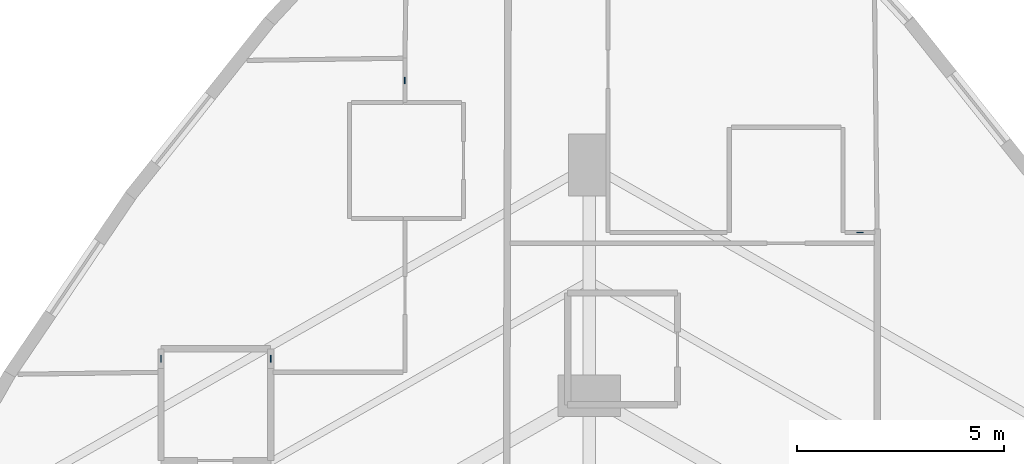
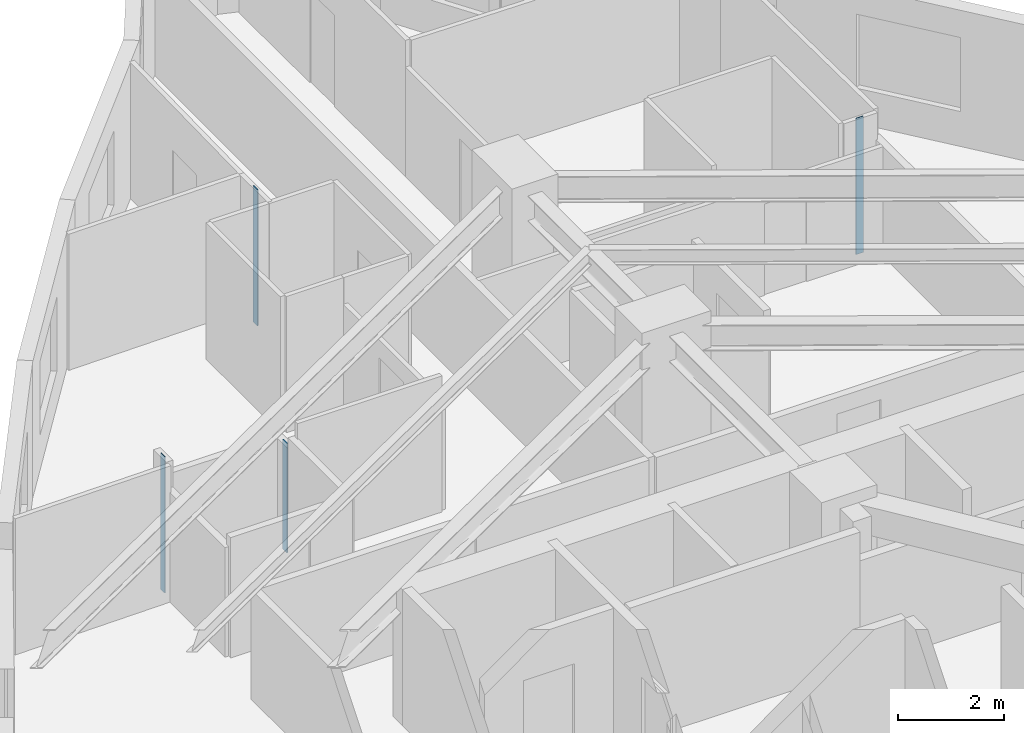
# One storey, part 4 of 12: 4 plates.
"""IFC4 building model written with IfcOpenShell, lengths in metres."""

from ifc_helpers import new_model, si_unit, direction, frame, origin, origin_2d, place, context, subcontext, project, spatial, rectangle, extrude, material, layer, layer_set, type_object, element, save


model = new_model("IFC4")

# Units and contexts
model_context = context("Model", 3, precision=1e-05, world=origin(), true_north=direction((0.0, 1.0)))
body_context = subcontext(model_context, "Body", "Model", "MODEL_VIEW")
ifc_project = project(units=[si_unit("LENGTHUNIT", "METRE"), si_unit("AREAUNIT", "SQUARE_METRE"), si_unit("VOLUMEUNIT", "CUBIC_METRE"), si_unit("PLANEANGLEUNIT", "RADIAN"), si_unit("MASSUNIT", "GRAM", prefix="KILO")], contexts=[model_context])

# Site, building, storey
site_placement = place(None, origin())
site = spatial("IfcSite", under=ifc_project, at=site_placement, CompositionType="ELEMENT")
building_placement = place(site_placement, origin())
building = spatial("IfcBuilding", under=site, at=building_placement, Name="Miruveldt Soraemaru", CompositionType="ELEMENT")
storey_placement = place(building_placement, frame((0.0, 0.0, 56.39990234375)))
storey = spatial("IfcBuildingStorey", under=building, at=storey_placement, Name="L15", CompositionType="ELEMENT", Elevation=56.39990234375)

# Plates
ifc_material = material(Name="Anodised aluminium EN AW-6063 T6", Category="aluminium")
ifc_layer = layer(ifc_material, 0.02001953125, Name="Anodised aluminium EN AW-6063 T6", Category="aluminium")
ifc_layer_set = layer_set([ifc_layer], Name="Anodised aluminium EN AW-6063 T6")
plate_type = type_object("IfcPlateType", Name="PLT-PART-TRIM", PredefinedType="SHEET", material=ifc_layer_set)
for number, where, z_axis, x_axis, name in (
    (1, (39.550048828125, 65.21337890625, 0.0), (0.0, 0.0, 1.0), (0.0, -1.0, 0.0), "L15 Partition Step Corner Trim Plate 018"),
    (2, (50.5400390625, 61.5390625, 0.0), (0.0, 0.0, 1.0), (-1.0, 0.0, 0.0), "L15 Partition Step Corner Trim Plate 037"),
):
    element("IfcPlate", number, at=place(storey_placement, frame(where, z_axis=z_axis, x_axis=x_axis)), inside=storey, type_object=plate_type, Name=name, PredefinedType="SHEET", context=body_context, shape_type="SweptSolid", body=[
        extrude(rectangle(XDim=0.159912109375, YDim=0.02001953125, at=origin_2d()), origin(), (0.0, 0.0, 1.0), 3.125),
    ])
plate_1_placement = place(storey_placement, frame((36.31103515625, 58.492431640625, 0.0), z_axis=(0.0, 0.0, 1.0), x_axis=(0.0, 1.0, 0.0)))
element("IfcPlate", 3, at=plate_1_placement, inside=storey, type_object=plate_type, Name="L15 Partition Step Corner Trim Plate 025", PredefinedType="SHEET", context=body_context, shape_type="SweptSolid", body=[
    extrude(rectangle(XDim=0.159912109375, YDim=0.02001953125, at=origin_2d()), origin(), (0.0, 0.0, 1.0), 2.512939453125),
])
plate_2_placement = place(storey_placement, frame((33.660888671875, 58.492431640625, 0.0), z_axis=(0.0, 0.0, 1.0), x_axis=(0.0, -1.0, 0.0)))
element("IfcPlate", 4, at=plate_2_placement, inside=storey, type_object=plate_type, Name="L15 Partition Step Corner Trim Plate 027", PredefinedType="SHEET", context=body_context, shape_type="SweptSolid", body=[
    extrude(rectangle(XDim=0.159912109375, YDim=0.02001953125, at=origin_2d()), origin(), (0.0, 0.0, 1.0), 3.125),
])

save(model, "model.ifc")
